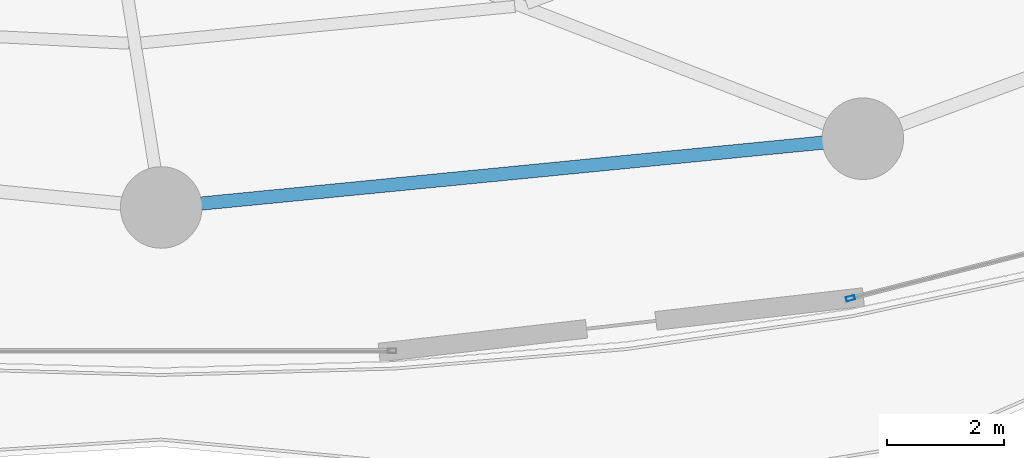
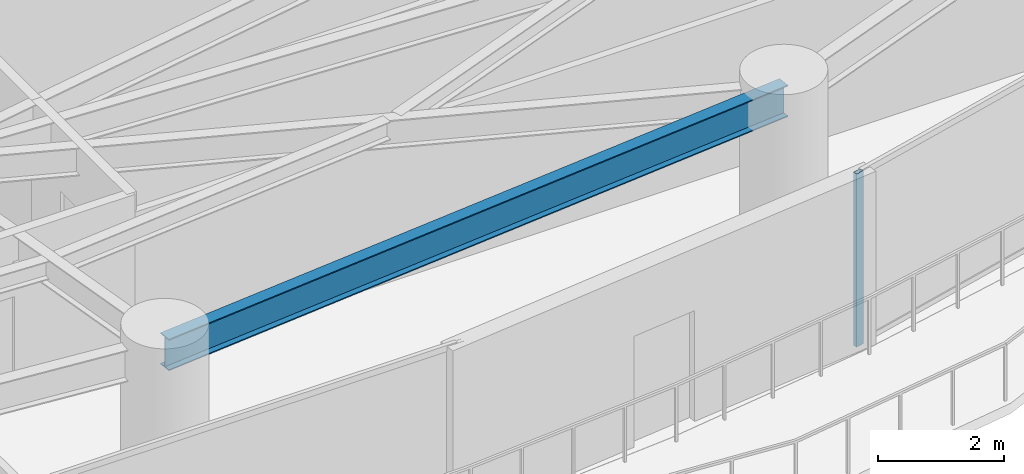
# One storey, part 11 of 33: 1 beam, 1 member, 1 element without a shape of its own.
"""IFC4 building model written with IfcOpenShell, lengths in metres."""

from ifc_helpers import new_model, si_unit, direction, frame, origin, origin_2d, place, context, subcontext, project, spatial, hollow_rectangle, i_section, extrude, material, layer, layer_set, material_profile, profile_set, type_object, element, aggregate, save


model = new_model("IFC4")

# Units and contexts
model_context = context("Model", 3, precision=1e-05, world=origin(), true_north=direction((0.0, 1.0)))
body_context = subcontext(model_context, "Body", "Model", "MODEL_VIEW")
ifc_project = project(units=[si_unit("LENGTHUNIT", "METRE"), si_unit("AREAUNIT", "SQUARE_METRE"), si_unit("VOLUMEUNIT", "CUBIC_METRE"), si_unit("PLANEANGLEUNIT", "RADIAN"), si_unit("MASSUNIT", "GRAM", prefix="KILO")], contexts=[model_context])

# Site, building, storey
site_placement = place(None, origin())
site = spatial("IfcSite", under=ifc_project, at=site_placement, CompositionType="ELEMENT")
building_placement = place(site_placement, origin())
building = spatial("IfcBuilding", under=site, at=building_placement, Name="Kazevale Care Tower and Concert Hall", CompositionType="ELEMENT")
storey_placement = place(building_placement, frame((0.0, 0.0, 27.60009765625)))
storey = spatial("IfcBuildingStorey", under=building, at=storey_placement, Name="L06", CompositionType="ELEMENT", Elevation=27.60009765625)

# Curtain wall, member
ifc_material_1 = material(Name="Aluminium 6063-T6 and Low-E Glass", Category="aluminium")
ifc_layer = layer(ifc_material_1, 0.179931640625)
ifc_layer_set = layer_set([ifc_layer], Name="Aluminium 6063-T6 and Low-E Glass")
curtain_wall_type = type_object("IfcCurtainWallType", Name="Sheltered Concave Balcony Curtain Wall CW-5", PredefinedType="NOTDEFINED", material=ifc_layer_set)
curtain_wall_placement = place(storey_placement, origin())
curtain_wall = element("IfcCurtainWall", 1, at=curtain_wall_placement, inside=storey, type_object=curtain_wall_type, Name="cw:L06:f04", PredefinedType="NOTDEFINED")
ifc_material_2 = material(Name="Aluminium 6063-T6", Category="aluminium")
ifc_material_profile_1 = material_profile(ifc_material_2, hollow_rectangle(XDim=0.074951171875, YDim=0.14990234375, WallThickness=0.00390625, at=origin_2d()), Name="ALU75x150x4")
ifc_profile_set_1 = profile_set([ifc_material_profile_1], Name="Aluminium 6063-T6")
member_type = type_object("IfcMemberType", Name="CW-5 Mullion ALU75x150x4", PredefinedType="MULLION", material=ifc_profile_set_1)
member_placement = place(storey_placement, frame((56.828369140625, 15.791259765625, 0.0), z_axis=(0.0, 0.0, 1.0), x_axis=(0.247221864936, -0.968958899798, 0.0)))
member = element("IfcMember", 2, at=member_placement, type_object=member_type, Name="CW-5 mullion 2", PredefinedType="MULLION", context=body_context, shape_type="SweptSolid", body=[
    extrude(hollow_rectangle(XDim=0.074951171875, YDim=0.14990234375, WallThickness=0.00390625, at=origin_2d()), origin(), (0.0, 0.0, 1.0), 3.35986328125),
])
aggregate(curtain_wall, [member])

# Beam
ifc_material_3 = material(Name="Steel ASTM A572 Gr 50", Category="steel")
ifc_material_profile_2 = material_profile(ifc_material_3, i_section(OverallWidth=0.22900390625, OverallDepth=0.612060546875, WebThickness=0.011962890625, FlangeThickness=0.01953125, at=origin_2d()), Name="W610x125")
ifc_profile_set_2 = profile_set([ifc_material_profile_2], Name="Steel ASTM A572 Gr 50")
beam_type = type_object("IfcBeamType", Name="Ring Spandrel Beam W610x125", PredefinedType="SPANDREL", material=ifc_profile_set_2)
beam_placement = place(storey_placement, frame((45.0, 17.35009765625, 3.053955078125), z_axis=(0.995232251602, 0.09753340644, 0.0), x_axis=(-0.09753340644, 0.995232251602, 0.0)))
element("IfcBeam", 3, at=beam_placement, inside=storey, type_object=beam_type, Name="beam:L06:ring:13", PredefinedType="SPANDREL", context=body_context, shape_type="SweptSolid", body=[
    extrude(i_section(OverallWidth=0.22900390625, OverallDepth=0.612060546875, WebThickness=0.011962890625, FlangeThickness=0.01953125, at=origin_2d()), origin(), (0.0, 0.0, 1.0), 12.09765625),
])

save(model, "model.ifc")
